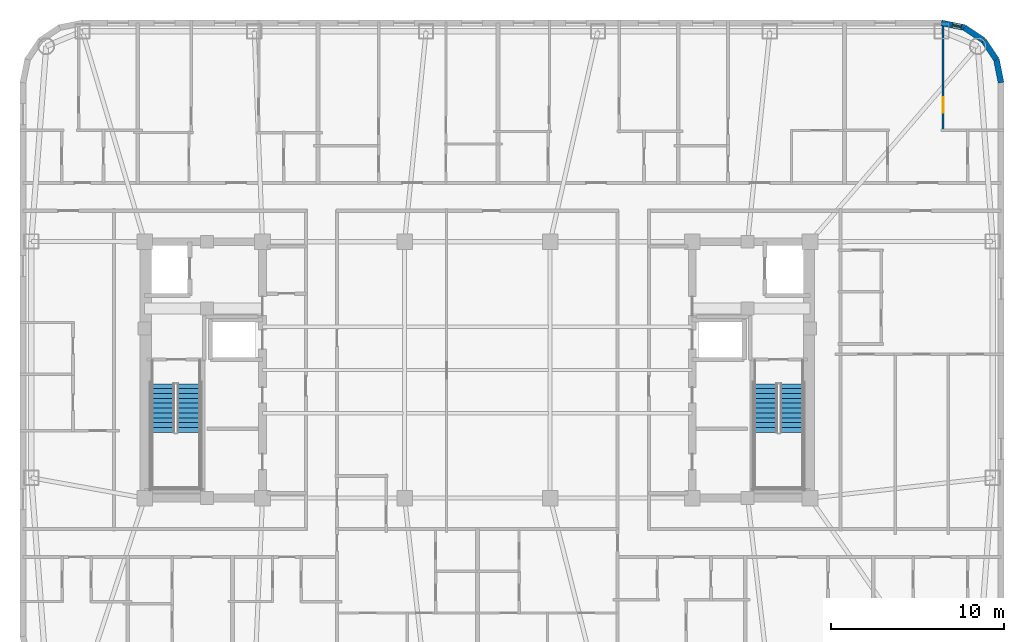
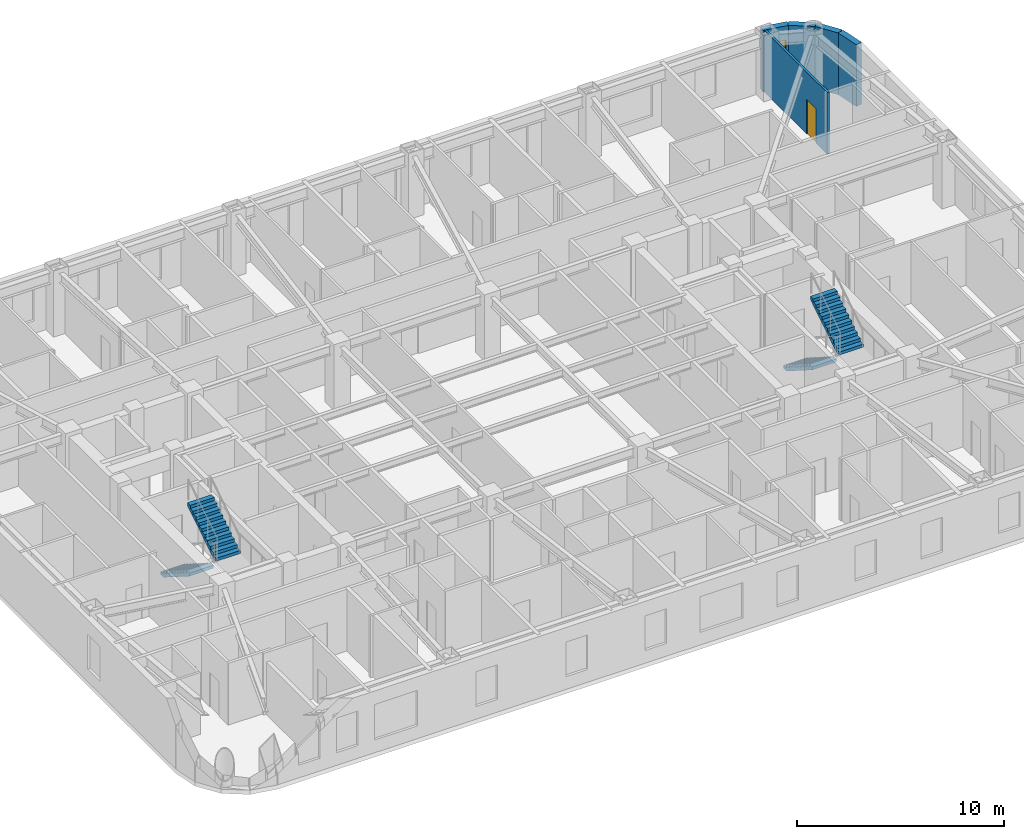
# One storey, part 9 of 11: 5 walls, 4 stair flights, 1 door, 1 window, 2 openings, 2 elements without a shape of their own.
"""IFC4 building model written with IfcOpenShell, lengths in metres."""

from ifc_helpers import new_model, si_unit, direction, frame, frame_2d, origin, place, context, subcontext, project, spatial, polyline, rectangle, outline, extrude, material, layer, layer_set, type_object, element, fill, aggregate, save


model = new_model("IFC4")

# Units and contexts
model_context = context("Model", 3, precision=1e-05, world=origin(), true_north=direction((0.0, 1.0)))
body_context = subcontext(model_context, "Body", "Model", "MODEL_VIEW")
ifc_project = project(units=[si_unit("LENGTHUNIT", "METRE"), si_unit("AREAUNIT", "SQUARE_METRE"), si_unit("VOLUMEUNIT", "CUBIC_METRE"), si_unit("PLANEANGLEUNIT", "RADIAN"), si_unit("MASSUNIT", "GRAM", prefix="KILO")], contexts=[model_context])

# Site, building, storey
site_placement = place(None, origin())
site = spatial("IfcSite", under=ifc_project, at=site_placement, CompositionType="ELEMENT")
building_placement = place(site_placement, origin())
building = spatial("IfcBuilding", under=site, at=building_placement, Name="Voryun Gate Residences", CompositionType="ELEMENT")
storey_placement = place(building_placement, frame((0.0, 0.0, 223.60009765625)))
storey = spatial("IfcBuildingStorey", under=building, at=storey_placement, Name="L55", CompositionType="ELEMENT", Elevation=223.60009765625)

# Wall, opening, window
ifc_material_1 = material(Name="Charcoal terracotta masonry", Category="masonry")
ifc_layer_1 = layer(ifc_material_1, 0.340087890625, Name="W_EXT_TERRACOTTA_340")
ifc_layer_set_1 = layer_set([ifc_layer_1], Name="Charcoal terracotta masonry")
wall_type_1 = type_object("IfcWallType", Name="W_EXT_TERRACOTTA_340", PredefinedType="ELEMENTEDWALL", material=ifc_layer_set_1)
wall_1_placement = place(storey_placement, frame((26.783203125, 20.030029296875, 0.0), z_axis=(0.0, 0.0, 1.0), x_axis=(0.980788153188, -0.195075878998, 0.0)))
wall_1 = element("IfcWall", 1, at=wall_1_placement, inside=storey, type_object=wall_type_1, Name="Exterior wall WEXT-L55-12", PredefinedType="ELEMENTEDWALL", context=body_context, shape_type="SweptSolid", body=[
    extrude(rectangle(XDim=1.354248046875, YDim=0.340087890625, at=frame_2d((0.67724609375, 0.0))), origin(), (0.0, 0.0, 1.0), 3.64990234375),
])
opening_1_placement = place(wall_1_placement, frame((0.656982421875, 0.0, 0.75)))
opening_1 = element("IfcOpeningElement", 2, at=opening_1_placement, cuts=wall_1, Name="Opening WN10", PredefinedType="OPENING", context=body_context, shape_type="SweptSolid", body=[
    extrude(rectangle(XDim=0.52001953125, YDim=2.050048828125, at=frame_2d((0.260009765625, 1.02490234375))), frame((0.0, 0.179931640625, 0.0), z_axis=(0.0, -1.0, 0.0), x_axis=(1.0, 0.0, 0.0)), (0.0, 0.0, 1.0), 0.360107421875),
])
ifc_material_2 = material(Name="Laminated low-E glass", Category="glass")
window_type = type_object("IfcWindowType", Name="WN_PAGODA_LANCET_520", PartitioningType="SINGLE_PANEL", PredefinedType="WINDOW", material=ifc_material_2)
window_placement = place(opening_1_placement, origin())
window = element("IfcWindow", 3, at=window_placement, inside=storey, type_object=window_type, Name="Window WN-L55-DWFIX-14", OverallHeight=2.050048828125, OverallWidth=0.52001953125, PartitioningType="SINGLE_PANEL", PredefinedType="WINDOW", context=body_context, shape_type="SweptSolid", body=[
    extrude(rectangle(XDim=0.52001953125, YDim=2.050048828125, at=frame_2d((0.260009765625, 1.02490234375))), frame((0.0, 0.030029296875, 0.0), z_axis=(0.0, -1.0, 0.0), x_axis=(1.0, 0.0, 0.0)), (0.0, 0.0, 1.0), 0.06005859375),
])
fill(opening_1, window)

# Walls
for number, where, z_axis, x_axis, name in (
    (4, (28.111328125, 19.765869140625, 0.0), (0.0, 0.0, 1.0), (0.831403586725, -0.555669034571, 0.0), "Exterior wall WEXT-L55-13"),
    (5, (29.222900390625, 19.02294921875, 0.0), (0.0, 0.0, 1.0), (0.555669034571, -0.831403586725, 0.0), "Exterior wall WEXT-L55-14"),
):
    element("IfcWall", number, at=place(storey_placement, frame(where, z_axis=z_axis, x_axis=x_axis)), inside=storey, type_object=wall_type_1, Name=name, PredefinedType="ELEMENTEDWALL", context=body_context, shape_type="SweptSolid", body=[
        extrude(rectangle(XDim=1.3369140625, YDim=0.340087890625, at=frame_2d((0.66845703125, 0.0))), origin(), (0.0, 0.0, 1.0), 3.64990234375),
    ])
wall_2_placement = place(storey_placement, frame((29.9658203125, 17.911376953125, 0.0), z_axis=(0.0, 0.0, 1.0), x_axis=(0.195075878998, -0.980788153188, 0.0)))
element("IfcWall", 6, at=wall_2_placement, inside=storey, type_object=wall_type_1, Name="Exterior wall WEXT-L55-15", PredefinedType="ELEMENTEDWALL", context=body_context, shape_type="SweptSolid", body=[
    extrude(rectangle(XDim=1.354248046875, YDim=0.340087890625, at=frame_2d((0.67724609375, 0.0))), origin(), (0.0, 0.0, 1.0), 3.64990234375),
])

# Wall, opening, door
ifc_material_3 = material(Name="Gypsum acoustic partition")
ifc_layer_2 = layer(ifc_material_3, 0.125, Name="W_UNIT_PART_125")
ifc_layer_set_2 = layer_set([ifc_layer_2], Name="Gypsum acoustic partition")
wall_type_2 = type_object("IfcWallType", Name="W_UNIT_PART_125", PredefinedType="PARTITIONING", material=ifc_layer_set_2)
wall_3_placement = place(storey_placement, frame((26.886962890625, 13.759033203125, 0.0), z_axis=(0.0, 0.0, 1.0), x_axis=(0.0, 1.0, 0.0)))
wall_3 = element("IfcWall", 7, at=wall_3_placement, inside=storey, type_object=wall_type_2, Name="Partition wall WP-L55-N6-OVR", PredefinedType="PARTITIONING", context=body_context, shape_type="SweptSolid", body=[
    extrude(rectangle(XDim=6.4033203125, YDim=0.125, at=frame_2d((3.20166015625, 0.0))), origin(), (0.0, 0.0, 1.0), 3.64990234375),
])
opening_2_placement = place(wall_3_placement, frame((1.0869140625, 0.0, 0.0)))
opening_2 = element("IfcOpeningElement", 8, at=opening_2_placement, cuts=wall_3, Name="Opening D-INT-2", PredefinedType="OPENING", context=body_context, shape_type="SweptSolid", body=[
    extrude(rectangle(XDim=0.89990234375, YDim=2.050048828125, at=frame_2d((0.449951171875, 1.02490234375))), frame((0.0, 0.072509765625, 0.0), z_axis=(0.0, -1.0, 0.0), x_axis=(1.0, 0.0, 0.0)), (0.0, 0.0, 1.0), 0.14501953125),
])
ifc_material_4 = material(Name="Architectural oak veneer")
door_type = type_object("IfcDoorType", Name="DR_INT_BATH_900", OperationType="NOTDEFINED", PredefinedType="DOOR", material=ifc_material_4)
door_placement = place(opening_2_placement, origin())
door = element("IfcDoor", 9, at=door_placement, inside=storey, type_object=door_type, Name="Door DR-L55-N6-DMB", OperationType="SINGLE_SWING_RIGHT", OverallHeight=2.050048828125, OverallWidth=0.89990234375, PredefinedType="DOOR", context=body_context, shape_type="SweptSolid", body=[
    extrude(rectangle(XDim=0.89990234375, YDim=2.050048828125, at=frame_2d((0.449951171875, 1.02490234375))), frame((0.0, 0.02490234375, 0.0), z_axis=(0.0, -1.0, 0.0), x_axis=(1.0, 0.0, 0.0)), (0.0, 0.0, 1.0), 0.050048828125),
])
fill(opening_2, door)

# Stair, stair flights
ifc_material_5 = material(Name="Concrete C40/50", Category="concrete")
stair_type = type_object("IfcStairType", Name="STR_CORE_DOGLEG_1350", PredefinedType="HALF_TURN_STAIR", material=ifc_material_5)
stair_1_placement = place(storey_placement, origin())
stair_1 = element("IfcStair", 10, at=stair_1_placement, inside=storey, type_object=stair_type, Name="L55 Special Escape Stair ST-W1", PredefinedType="HALF_TURN_STAIR")
ifc_material_6 = material(Name="Concrete C40/50", Category="concrete")
stair_flight_type = type_object("IfcStairFlightType", Name="FLT_CORE_1350", PredefinedType="STRAIGHT", material=ifc_material_6)
stair_flight_1_placement = place(storey_placement, frame((-18.14990234375, -0.800048828125, 0.0), z_axis=(0.0, 0.0, 1.0), x_axis=(0.0, -1.0, 0.0)))
stair_flight_1 = element("IfcStairFlight", 11, at=stair_flight_1_placement, type_object=stair_flight_type, Name="ST-W1 flight 1", NumberOfRisers=11, NumberOfTreads=10, PredefinedType="STRAIGHT", RiserHeight=0.177272727, TreadLength=0.28, context=body_context, shape_type="SweptSolid", body=[
    extrude(outline(polyline([(0.0, 0.0), (0.0, 0.17724609375), (0.280029296875, 0.17724609375), (0.280029296875, 0.3544921875), (0.56005859375, 0.3544921875), (0.56005859375, 0.53173828125), (0.840087890625, 0.53173828125), (0.840087890625, 0.708984375), (1.1201171875, 0.708984375), (1.1201171875, 0.886474609375), (1.39990234375, 0.886474609375), (1.39990234375, 1.063720703125), (1.679931640625, 1.063720703125), (1.679931640625, 1.240966796875), (1.9599609375, 1.240966796875), (1.9599609375, 1.418212890625), (2.239990234375, 1.418212890625), (2.239990234375, 1.595458984375), (2.52001953125, 1.595458984375), (2.52001953125, 1.772705078125), (2.800048828125, 1.772705078125), (2.800048828125, 1.949951171875), (2.800048828125, 1.59521484375), (0.2802734375, 0.0), (0.0, 0.0)])), frame((0.0, 0.675048828125, 0.0), z_axis=(0.0, -1.0, 0.0), x_axis=(1.0, 0.0, 0.0)), (0.0, 0.0, 1.0), 1.35009765625),
])
stair_flight_2_placement = place(storey_placement, frame((-16.64990234375, -3.60009765625, 1.949951171875), z_axis=(0.0, 0.0, 1.0), x_axis=(0.0, 1.0, 0.0)))
stair_flight_2 = element("IfcStairFlight", 12, at=stair_flight_2_placement, type_object=stair_flight_type, Name="ST-W1 flight 2", NumberOfRisers=11, NumberOfTreads=10, PredefinedType="STRAIGHT", RiserHeight=0.177272727, TreadLength=0.28, context=body_context, shape_type="SweptSolid", body=[
    extrude(outline(polyline([(0.0, 0.0), (0.0, 0.17724609375), (0.280029296875, 0.17724609375), (0.280029296875, 0.3544921875), (0.56005859375, 0.3544921875), (0.56005859375, 0.53173828125), (0.840087890625, 0.53173828125), (0.840087890625, 0.708984375), (1.1201171875, 0.708984375), (1.1201171875, 0.886474609375), (1.39990234375, 0.886474609375), (1.39990234375, 1.063720703125), (1.679931640625, 1.063720703125), (1.679931640625, 1.240966796875), (1.9599609375, 1.240966796875), (1.9599609375, 1.418212890625), (2.239990234375, 1.418212890625), (2.239990234375, 1.595458984375), (2.52001953125, 1.595458984375), (2.52001953125, 1.772705078125), (2.800048828125, 1.772705078125), (2.800048828125, 1.949951171875), (2.800048828125, 1.59521484375), (0.2802734375, 0.0), (0.0, 0.0)])), frame((0.0, 0.675048828125, 0.0), z_axis=(0.0, -1.0, 0.0), x_axis=(1.0, 0.0, 0.0)), (0.0, 0.0, 1.0), 1.35009765625),
])
aggregate(stair_1, [stair_flight_1, stair_flight_2])

stair_2_placement = place(storey_placement, origin())
stair_2 = element("IfcStair", 13, at=stair_2_placement, inside=storey, type_object=stair_type, Name="L55 Special Escape Stair ST-E1", PredefinedType="HALF_TURN_STAIR")
stair_flight_3_placement = place(storey_placement, frame((16.64990234375, -0.800048828125, 0.0), z_axis=(0.0, 0.0, 1.0), x_axis=(0.0, -1.0, 0.0)))
stair_flight_3 = element("IfcStairFlight", 14, at=stair_flight_3_placement, type_object=stair_flight_type, Name="ST-E1 flight 1", NumberOfRisers=11, NumberOfTreads=10, PredefinedType="STRAIGHT", RiserHeight=0.177272727, TreadLength=0.28, context=body_context, shape_type="SweptSolid", body=[
    extrude(outline(polyline([(0.0, 0.0), (0.0, 0.17724609375), (0.280029296875, 0.17724609375), (0.280029296875, 0.3544921875), (0.56005859375, 0.3544921875), (0.56005859375, 0.53173828125), (0.840087890625, 0.53173828125), (0.840087890625, 0.708984375), (1.1201171875, 0.708984375), (1.1201171875, 0.886474609375), (1.39990234375, 0.886474609375), (1.39990234375, 1.063720703125), (1.679931640625, 1.063720703125), (1.679931640625, 1.240966796875), (1.9599609375, 1.240966796875), (1.9599609375, 1.418212890625), (2.239990234375, 1.418212890625), (2.239990234375, 1.595458984375), (2.52001953125, 1.595458984375), (2.52001953125, 1.772705078125), (2.800048828125, 1.772705078125), (2.800048828125, 1.949951171875), (2.800048828125, 1.59521484375), (0.2802734375, 0.0), (0.0, 0.0)])), frame((0.0, 0.675048828125, 0.0), z_axis=(0.0, -1.0, 0.0), x_axis=(1.0, 0.0, 0.0)), (0.0, 0.0, 1.0), 1.35009765625),
])
stair_flight_4_placement = place(storey_placement, frame((18.14990234375, -3.60009765625, 1.949951171875), z_axis=(0.0, 0.0, 1.0), x_axis=(0.0, 1.0, 0.0)))
stair_flight_4 = element("IfcStairFlight", 15, at=stair_flight_4_placement, type_object=stair_flight_type, Name="ST-E1 flight 2", NumberOfRisers=11, NumberOfTreads=10, PredefinedType="STRAIGHT", RiserHeight=0.177272727, TreadLength=0.28, context=body_context, shape_type="SweptSolid", body=[
    extrude(outline(polyline([(0.0, 0.0), (0.0, 0.17724609375), (0.280029296875, 0.17724609375), (0.280029296875, 0.3544921875), (0.56005859375, 0.3544921875), (0.56005859375, 0.53173828125), (0.840087890625, 0.53173828125), (0.840087890625, 0.708984375), (1.1201171875, 0.708984375), (1.1201171875, 0.886474609375), (1.39990234375, 0.886474609375), (1.39990234375, 1.063720703125), (1.679931640625, 1.063720703125), (1.679931640625, 1.240966796875), (1.9599609375, 1.240966796875), (1.9599609375, 1.418212890625), (2.239990234375, 1.418212890625), (2.239990234375, 1.595458984375), (2.52001953125, 1.595458984375), (2.52001953125, 1.772705078125), (2.800048828125, 1.772705078125), (2.800048828125, 1.949951171875), (2.800048828125, 1.59521484375), (0.2802734375, 0.0), (0.0, 0.0)])), frame((0.0, 0.675048828125, 0.0), z_axis=(0.0, -1.0, 0.0), x_axis=(1.0, 0.0, 0.0)), (0.0, 0.0, 1.0), 1.35009765625),
])
aggregate(stair_2, [stair_flight_3, stair_flight_4])

save(model, "model.ifc")
